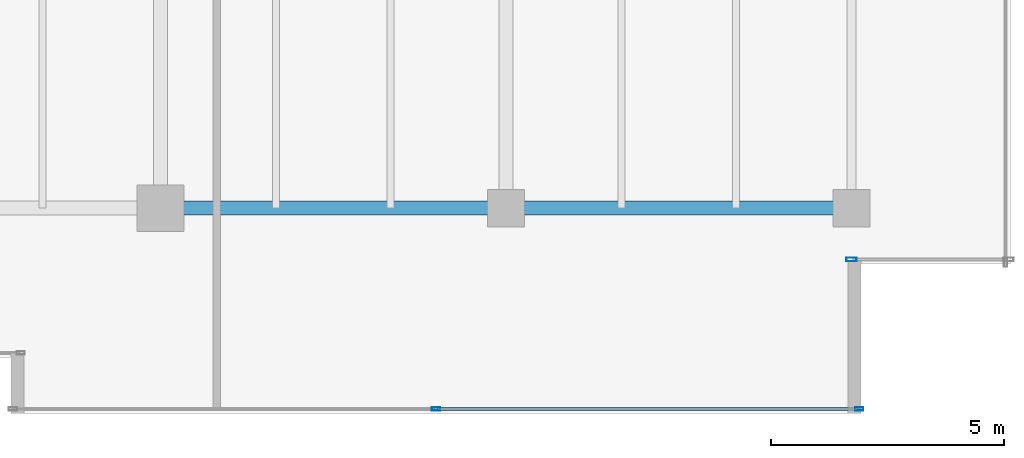
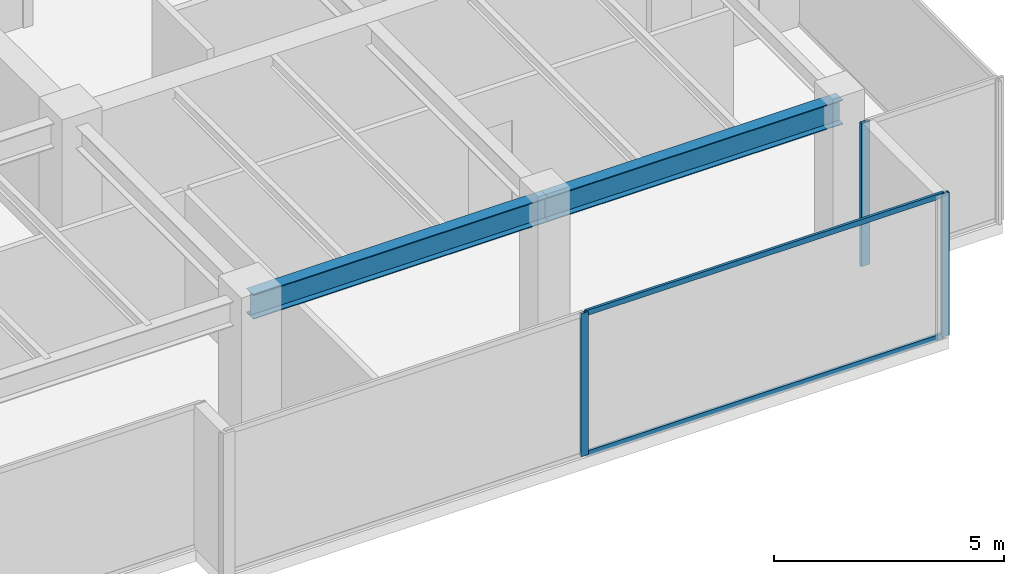
# One storey, part 13 of 33: 5 members, 2 beams, 2 elements without a shape of their own.
"""IFC4 building model written with IfcOpenShell, lengths in metres."""

from ifc_helpers import new_model, si_unit, direction, frame, origin, origin_2d, place, context, subcontext, project, spatial, hollow_rectangle, i_section, extrude, source, transform, mapped, material, layer, layer_set, material_profile, profile_set, type_object, type_shapes, element, aggregate, save


model = new_model("IFC4")

# Units and contexts
model_context = context("Model", 3, precision=1e-05, world=origin(), true_north=direction((0.0, 1.0)))
body_context = subcontext(model_context, "Body", "Model", "MODEL_VIEW")
ifc_project = project(units=[si_unit("LENGTHUNIT", "METRE"), si_unit("AREAUNIT", "SQUARE_METRE"), si_unit("VOLUMEUNIT", "CUBIC_METRE"), si_unit("PLANEANGLEUNIT", "RADIAN"), si_unit("MASSUNIT", "GRAM", prefix="KILO")], contexts=[model_context])

# Site, building, storey
site_placement = place(None, origin())
site = spatial("IfcSite", under=ifc_project, at=site_placement, CompositionType="ELEMENT")
building_placement = place(site_placement, origin())
building = spatial("IfcBuilding", under=site, at=building_placement, Name="Haelvirn Gate Laboratories", CompositionType="ELEMENT")
storey_placement = place(building_placement, frame((0.0, 0.0, 217.800048828125)))
storey = spatial("IfcBuildingStorey", under=building, at=storey_placement, Name="L52", CompositionType="ELEMENT", Elevation=217.800048828125)

# Beams
ifc_material_1 = material(Name="Steel SM355", Category="steel")
ifc_material_profile_1 = material_profile(ifc_material_1, i_section(OverallWidth=0.300048828125, OverallDepth=0.64990234375, WebThickness=0.012939453125, FlangeThickness=0.02197265625, at=origin_2d()), Name="H-650x300x13x22")
ifc_profile_set_1 = profile_set([ifc_material_profile_1], Name="Steel SM355")
beam_type = type_object("IfcBeamType", Name="BM-G-650", PredefinedType="BEAM", material=ifc_profile_set_1)
shared_shape_1 = source(origin(), body_context, "Body", "SweptSolid", [
    extrude(i_section(OverallWidth=0.300048828125, OverallDepth=0.64990234375, WebThickness=0.012939453125, FlangeThickness=0.02197265625, at=origin_2d()), origin(), (0.0, 0.0, 1.0), 7.39990234375),
])
type_shapes(beam_type, [shared_shape_1])
for number, where, z_axis, x_axis, name in (
    (1, (52.60009765625, 7.0, 3.474853515625), (1.0, 0.0, 0.0), (0.0, 1.0, 0.0), "L52 Primary Girder Y7.0 (52.6-60.0)"),
    (2, (60.0, 7.0, 3.474853515625), (1.0, 0.0, 0.0), (0.0, 1.0, 0.0), "L52 Primary Girder Y7.0 (60.0-67.4)"),
):
    element("IfcBeam", number, at=place(storey_placement, frame(where, z_axis=z_axis, x_axis=x_axis)), inside=storey, type_object=beam_type, Name=name, PredefinedType="BEAM", context=body_context, shape_type="MappedRepresentation", body=[
        mapped(shared_shape_1, transform((0.0, 0.0, 0.0), scale=1.0)),
    ])

# Curtain wall, members
ifc_material_2 = material(Name="Anodised bronze unitised aluminium & triple low-E glass", Category="aluminium")
ifc_layer_1 = layer(ifc_material_2, 0.176025390625, Name="CW-SYS-4")
ifc_layer_set_1 = layer_set([ifc_layer_1], Name="Anodised bronze unitised aluminium & triple low-E glass")
curtain_wall_type_1 = type_object("IfcCurtainWallType", Name="CW-SYS-4", PredefinedType="NOTDEFINED", material=ifc_layer_set_1)
curtain_wall_1_placement = place(storey_placement, origin())
curtain_wall_1 = element("IfcCurtainWall", 3, at=curtain_wall_1_placement, inside=storey, type_object=curtain_wall_type_1, Name="L52 Unitised Curtain Wall CW-L52-P0-E04-1", PredefinedType="NOTDEFINED")
ifc_material_3 = material(Name="Extruded aluminium 6063-T6 (anodised bronze)", Category="aluminium")
ifc_material_profile_2 = material_profile(ifc_material_3, hollow_rectangle(XDim=0.06494140625, YDim=0.139892578125, WallThickness=0.00390625, at=origin_2d()), Name="CWT-140x65x4")
ifc_profile_set_2 = profile_set([ifc_material_profile_2], Name="Extruded aluminium 6063-T6 (anodised bronze)")
member_type_1 = type_object("IfcMemberType", Name="CWT-T140", PredefinedType="USERDEFINED", material=ifc_profile_set_2)
shared_shape_2 = source(origin(), body_context, "Body", "SweptSolid", [
    extrude(hollow_rectangle(XDim=0.06494140625, YDim=0.139892578125, WallThickness=0.00390625, at=origin_2d()), origin(), (0.0, 0.0, 1.0), 8.9951171875),
])
type_shapes(member_type_1, [shared_shape_2])
member_1_placement = place(storey_placement, frame((58.534912109375, 2.699951171875, 0.032470703125), z_axis=(1.0, 0.0, 0.0), x_axis=(0.0, 1.0, 0.0)))
member_1 = element("IfcMember", 4, at=member_1_placement, type_object=member_type_1, Name="CW4 transom 2.1", ObjectType="TRANSOM", PredefinedType="USERDEFINED", context=body_context, shape_type="MappedRepresentation", body=[
    mapped(shared_shape_2, transform((0.0, 0.0, 0.0), scale=1.0)),
])
member_2_placement = place(storey_placement, frame((58.534912109375, 2.699951171875, 3.767333984375), z_axis=(1.0, 0.0, 0.0), x_axis=(0.0, 1.0, 0.0)))
member_2 = element("IfcMember", 5, at=member_2_placement, type_object=member_type_1, Name="CW4 transom 2.2", ObjectType="TRANSOM", PredefinedType="USERDEFINED", context=body_context, shape_type="MappedRepresentation", body=[
    mapped(shared_shape_2, transform((0.0, 0.0, 0.0), scale=1.0)),
])
ifc_material_profile_3 = material_profile(ifc_material_3, hollow_rectangle(XDim=0.070068359375, YDim=0.179931640625, WallThickness=0.0048828125, at=origin_2d()), Name="CWM-180x70x5")
ifc_profile_set_3 = profile_set([ifc_material_profile_3], Name="Extruded aluminium 6063-T6 (anodised bronze)")
member_type_2 = type_object("IfcMemberType", Name="CWM-T180", PredefinedType="MULLION", material=ifc_profile_set_3)
shared_shape_3 = source(origin(), body_context, "Body", "SweptSolid", [
    extrude(hollow_rectangle(XDim=0.070068359375, YDim=0.179931640625, WallThickness=0.0048828125, at=origin_2d()), origin(), (0.0, 0.0, 1.0), 3.800048828125),
])
type_shapes(member_type_2, [shared_shape_3])
member_3_placement = place(storey_placement, frame((58.5, 2.699951171875, 0.0), z_axis=(0.0, 0.0, 1.0), x_axis=(0.0, 1.0, 0.0)))
member_3 = element("IfcMember", 6, at=member_3_placement, type_object=member_type_2, Name="CW4 mullion 2", PredefinedType="MULLION", context=body_context, shape_type="MappedRepresentation", body=[
    mapped(shared_shape_3, transform((0.0, 0.0, 0.0), scale=1.0)),
])
member_4_placement = place(storey_placement, frame((67.56494140625, 2.699951171875, 0.0), z_axis=(0.0, 0.0, 1.0), x_axis=(0.0, 1.0, 0.0)))
member_4 = element("IfcMember", 7, at=member_4_placement, type_object=member_type_2, Name="CW4 mullion 3", PredefinedType="MULLION", context=body_context, shape_type="MappedRepresentation", body=[
    mapped(shared_shape_3, transform((0.0, 0.0, 0.0), scale=1.0)),
])
aggregate(curtain_wall_1, [member_3, member_4, member_1, member_2])

# Curtain wall, member
ifc_layer_2 = layer(ifc_material_2, 0.181884765625, Name="CW-SYS-5")
ifc_layer_set_2 = layer_set([ifc_layer_2], Name="Anodised bronze unitised aluminium & triple low-E glass")
curtain_wall_type_2 = type_object("IfcCurtainWallType", Name="CW-SYS-5", PredefinedType="NOTDEFINED", material=ifc_layer_set_2)
curtain_wall_2_placement = place(storey_placement, origin())
curtain_wall_2 = element("IfcCurtainWall", 8, at=curtain_wall_2_placement, inside=storey, type_object=curtain_wall_type_2, Name="L52 Unitised Curtain Wall CW-L52-P0-E06-1", PredefinedType="NOTDEFINED")
ifc_material_profile_4 = material_profile(ifc_material_3, hollow_rectangle(XDim=0.080078125, YDim=0.219970703125, WallThickness=0.006103515625, at=origin_2d()), Name="CWM-220x80x6")
ifc_profile_set_4 = profile_set([ifc_material_profile_4], Name="Extruded aluminium 6063-T6 (anodised bronze)")
member_type_3 = type_object("IfcMemberType", Name="CWM-T220", PredefinedType="MULLION", material=ifc_profile_set_4)
shared_shape_4 = source(origin(), body_context, "Body", "SweptSolid", [
    extrude(hollow_rectangle(XDim=0.080078125, YDim=0.219970703125, WallThickness=0.006103515625, at=origin_2d()), origin(), (0.0, 0.0, 1.0), 3.800048828125),
])
type_shapes(member_type_3, [shared_shape_4])
member_5_placement = place(storey_placement, frame((67.39990234375, 5.89990234375, 0.0), z_axis=(0.0, 0.0, 1.0), x_axis=(0.0, 1.0, 0.0)))
member_5 = element("IfcMember", 9, at=member_5_placement, type_object=member_type_3, Name="CW5 mullion 1", PredefinedType="MULLION", context=body_context, shape_type="MappedRepresentation", body=[
    mapped(shared_shape_4, transform((0.0, 0.0, 0.0), scale=1.0)),
])
aggregate(curtain_wall_2, [member_5])

save(model, "model.ifc")
